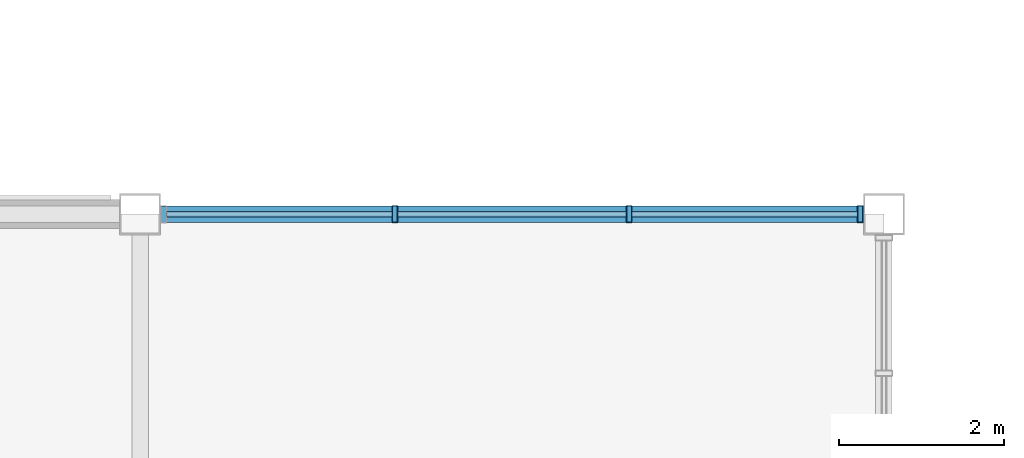
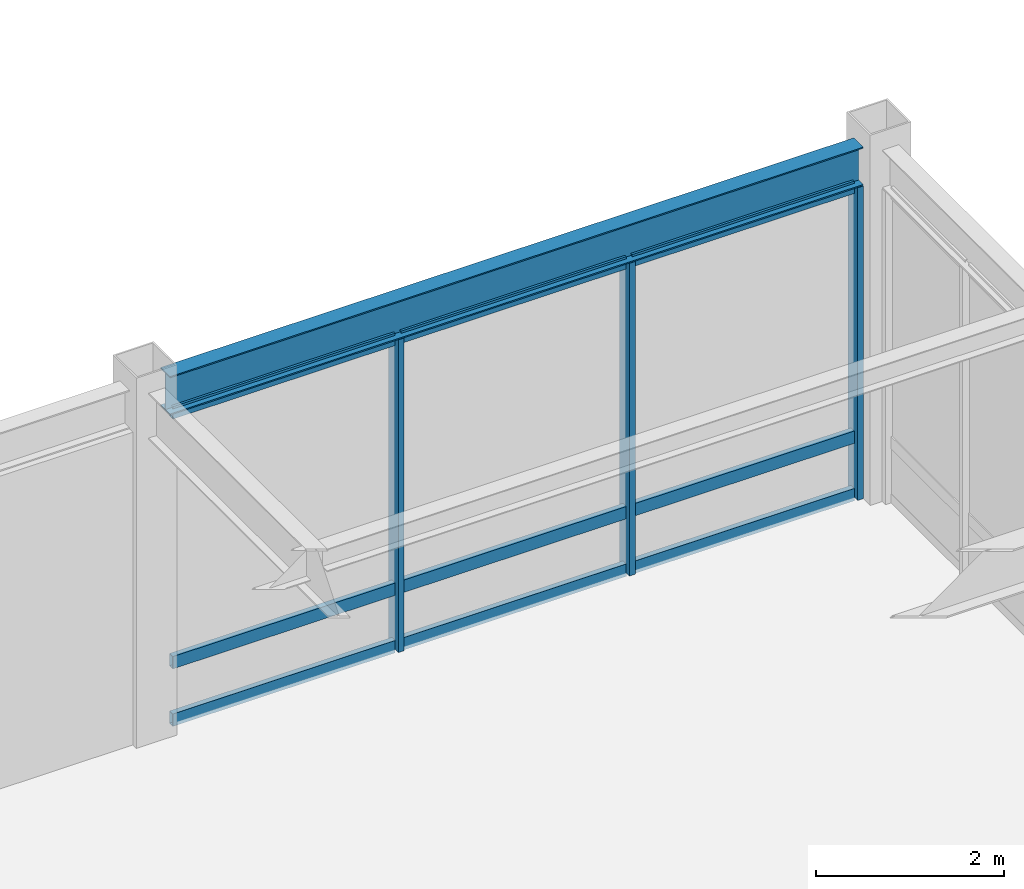
# One storey, part 73 of 112: 12 members, 1 beam, 1 element without a shape of its own.
"""IFC4 building model written with IfcOpenShell, lengths in metres."""

from ifc_helpers import new_model, si_unit, direction, frame, origin, origin_2d, place, context, subcontext, project, spatial, hollow_rectangle, i_section, extrude, material, material_profile, profile_set, type_object, element, aggregate, save


model = new_model("IFC4")

# Units and contexts
model_context = context("Model", 3, precision=1e-05, world=origin(), true_north=direction((0.0, 1.0)))
body_context = subcontext(model_context, "Body", "Model", "MODEL_VIEW")
ifc_project = project(units=[si_unit("LENGTHUNIT", "METRE"), si_unit("AREAUNIT", "SQUARE_METRE"), si_unit("VOLUMEUNIT", "CUBIC_METRE"), si_unit("PLANEANGLEUNIT", "RADIAN"), si_unit("MASSUNIT", "GRAM", prefix="KILO")], contexts=[model_context])

# Site, building, storey
site_placement = place(None, origin())
site = spatial("IfcSite", under=ifc_project, at=site_placement, CompositionType="ELEMENT")
building_placement = place(site_placement, origin())
building = spatial("IfcBuilding", under=site, at=building_placement, Name="Kazanami Central Library", CompositionType="ELEMENT")
storey_placement = place(building_placement, origin())
storey = spatial("IfcBuildingStorey", under=building, at=storey_placement, Name="L01", CompositionType="ELEMENT", Elevation=0.0)

# Beam
ifc_material_1 = material(Name="Steel SN490B (325 MPa)", Category="steel")
ifc_material_profile_1 = material_profile(ifc_material_1, i_section(OverallWidth=0.199951171875, OverallDepth=0.5, WebThickness=0.010009765625, FlangeThickness=0.01611328125, at=origin_2d()), Name="H-500x200x10x16")
ifc_profile_set_1 = profile_set([ifc_material_profile_1], Name="Steel SN490B (325 MPa)")
beam_type = type_object("IfcBeamType", Name="BM-SP-1", PredefinedType="SPANDREL", material=ifc_profile_set_1)
beam_placement = place(storey_placement, frame((99.248046875, 93.60009765625, 4.304931640625), z_axis=(1.0, 0.0, 0.0), x_axis=(0.0, 1.0, 0.0)))
element("IfcBeam", 1, at=beam_placement, inside=storey, type_object=beam_type, Name="Girder SP-1 L01 O/12-13", PredefinedType="SPANDREL", context=body_context, shape_type="SweptSolid", body=[
    extrude(i_section(OverallWidth=0.199951171875, OverallDepth=0.5, WebThickness=0.010009765625, FlangeThickness=0.01611328125, at=origin_2d()), origin(), (0.0, 0.0, 1.0), 8.50390625),
])

# Curtain wall, members
ifc_material_2 = material(Name="Acid-Etched Low-E Laminated Glass", Category="glass")
curtain_wall_type = type_object("IfcCurtainWallType", Name="CW-8500x4055-M275", PredefinedType="USERDEFINED", material=ifc_material_2)
curtain_wall_placement = place(storey_placement, origin())
curtain_wall = element("IfcCurtainWall", 2, at=curtain_wall_placement, inside=storey, type_object=curtain_wall_type, Name="Unitised Curtain Wall CW-07 L01 N-O-11", ObjectType="UNITISED CURTAIN WALL", PredefinedType="USERDEFINED")
ifc_material_3 = material(Name="Anodised Aluminium A6063-T5", Category="aluminium")
ifc_material_profile_2 = material_profile(ifc_material_3, hollow_rectangle(XDim=0.070068359375, YDim=0.2099609375, WallThickness=0.0048828125, at=origin_2d()), Name="ALU-MULL-70x210x5")
ifc_profile_set_2 = profile_set([ifc_material_profile_2], Name="Anodised Aluminium A6063-T5")
member_type_1 = type_object("IfcMemberType", Name="MEM-CW-M1", PredefinedType="MULLION", material=ifc_profile_set_2)
member_1_placement = place(storey_placement, frame((107.715087890625, 93.60009765625, 0.0), z_axis=(0.0, 0.0, 1.0), x_axis=(-1.0, 0.0, 0.0)))
member_1 = element("IfcMember", 3, at=member_1_placement, type_object=member_type_1, Name="CW-07 mullion 1", PredefinedType="MULLION", context=body_context, shape_type="SweptSolid", body=[
    extrude(hollow_rectangle(XDim=0.070068359375, YDim=0.2099609375, WallThickness=0.0048828125, at=origin_2d()), origin(), (0.0, 0.0, 1.0), 4.054931640625),
])
member_2_placement = place(storey_placement, frame((104.916748046875, 93.60009765625, 0.0), z_axis=(0.0, 0.0, 1.0), x_axis=(-1.0, 0.0, 0.0)))
member_2 = element("IfcMember", 4, at=member_2_placement, type_object=member_type_1, Name="CW-07 mullion 2", PredefinedType="MULLION", context=body_context, shape_type="SweptSolid", body=[
    extrude(hollow_rectangle(XDim=0.070068359375, YDim=0.2099609375, WallThickness=0.0048828125, at=origin_2d()), origin(), (0.0, 0.0, 1.0), 4.054931640625),
])
member_3_placement = place(storey_placement, frame((102.083251953125, 93.60009765625, 0.0), z_axis=(0.0, 0.0, 1.0), x_axis=(-1.0, 0.0, 0.0)))
member_3 = element("IfcMember", 5, at=member_3_placement, type_object=member_type_1, Name="CW-07 mullion 3", PredefinedType="MULLION", context=body_context, shape_type="SweptSolid", body=[
    extrude(hollow_rectangle(XDim=0.070068359375, YDim=0.2099609375, WallThickness=0.0048828125, at=origin_2d()), origin(), (0.0, 0.0, 1.0), 4.054931640625),
])
ifc_material_profile_3 = material_profile(ifc_material_3, hollow_rectangle(XDim=0.070068359375, YDim=0.159912109375, WallThickness=0.00390625, at=origin_2d()), Name="ALU-TRAN-70x160x4")
ifc_profile_set_3 = profile_set([ifc_material_profile_3], Name="Anodised Aluminium A6063-T5")
member_type_2 = type_object("IfcMemberType", Name="MEM-CW-T1", PredefinedType="USERDEFINED", material=ifc_profile_set_3)
member_4_placement = place(storey_placement, frame((107.679931640625, 93.60009765625, 0.034912109375), z_axis=(-1.0, 0.0, 0.0), x_axis=(0.0, -1.0, 0.0)))
member_4 = element("IfcMember", 6, at=member_4_placement, type_object=member_type_2, Name="CW-07 transom 1.1", ObjectType="TRANSOM", PredefinedType="USERDEFINED", context=body_context, shape_type="SweptSolid", body=[
    extrude(hollow_rectangle(XDim=0.070068359375, YDim=0.159912109375, WallThickness=0.00390625, at=origin_2d()), origin(), (0.0, 0.0, 1.0), 2.728271484375),
])
member_5_placement = place(storey_placement, frame((107.679931640625, 93.60009765625, 0.780029296875), z_axis=(-1.0, 0.0, 0.0), x_axis=(0.0, -1.0, 0.0)))
member_5 = element("IfcMember", 7, at=member_5_placement, type_object=member_type_2, Name="CW-07 transom 1.2", ObjectType="TRANSOM", PredefinedType="USERDEFINED", context=body_context, shape_type="SweptSolid", body=[
    extrude(hollow_rectangle(XDim=0.070068359375, YDim=0.159912109375, WallThickness=0.00390625, at=origin_2d()), origin(), (0.0, 0.0, 1.0), 2.728271484375),
])
member_6_placement = place(storey_placement, frame((107.679931640625, 93.60009765625, 4.02001953125), z_axis=(-1.0, 0.0, 0.0), x_axis=(0.0, -1.0, 0.0)))
member_6 = element("IfcMember", 8, at=member_6_placement, type_object=member_type_2, Name="CW-07 transom 1.3", ObjectType="TRANSOM", PredefinedType="USERDEFINED", context=body_context, shape_type="SweptSolid", body=[
    extrude(hollow_rectangle(XDim=0.070068359375, YDim=0.159912109375, WallThickness=0.00390625, at=origin_2d()), origin(), (0.0, 0.0, 1.0), 2.728271484375),
])
member_7_placement = place(storey_placement, frame((104.881591796875, 93.60009765625, 0.034912109375), z_axis=(-1.0, 0.0, 0.0), x_axis=(0.0, -1.0, 0.0)))
member_7 = element("IfcMember", 9, at=member_7_placement, type_object=member_type_2, Name="CW-07 transom 2.1", ObjectType="TRANSOM", PredefinedType="USERDEFINED", context=body_context, shape_type="SweptSolid", body=[
    extrude(hollow_rectangle(XDim=0.070068359375, YDim=0.159912109375, WallThickness=0.00390625, at=origin_2d()), origin(), (0.0, 0.0, 1.0), 2.76318359375),
])
member_8_placement = place(storey_placement, frame((104.881591796875, 93.60009765625, 0.780029296875), z_axis=(-1.0, 0.0, 0.0), x_axis=(0.0, -1.0, 0.0)))
member_8 = element("IfcMember", 10, at=member_8_placement, type_object=member_type_2, Name="CW-07 transom 2.2", ObjectType="TRANSOM", PredefinedType="USERDEFINED", context=body_context, shape_type="SweptSolid", body=[
    extrude(hollow_rectangle(XDim=0.070068359375, YDim=0.159912109375, WallThickness=0.00390625, at=origin_2d()), origin(), (0.0, 0.0, 1.0), 2.76318359375),
])
member_9_placement = place(storey_placement, frame((104.881591796875, 93.60009765625, 4.02001953125), z_axis=(-1.0, 0.0, 0.0), x_axis=(0.0, -1.0, 0.0)))
member_9 = element("IfcMember", 11, at=member_9_placement, type_object=member_type_2, Name="CW-07 transom 2.3", ObjectType="TRANSOM", PredefinedType="USERDEFINED", context=body_context, shape_type="SweptSolid", body=[
    extrude(hollow_rectangle(XDim=0.070068359375, YDim=0.159912109375, WallThickness=0.00390625, at=origin_2d()), origin(), (0.0, 0.0, 1.0), 2.76318359375),
])
member_10_placement = place(storey_placement, frame((102.04833984375, 93.60009765625, 0.034912109375), z_axis=(-1.0, 0.0, 0.0), x_axis=(0.0, -1.0, 0.0)))
member_10 = element("IfcMember", 12, at=member_10_placement, type_object=member_type_2, Name="CW-07 transom 3.1", ObjectType="TRANSOM", PredefinedType="USERDEFINED", context=body_context, shape_type="SweptSolid", body=[
    extrude(hollow_rectangle(XDim=0.070068359375, YDim=0.159912109375, WallThickness=0.00390625, at=origin_2d()), origin(), (0.0, 0.0, 1.0), 2.728271484375),
])
member_11_placement = place(storey_placement, frame((102.04833984375, 93.60009765625, 0.780029296875), z_axis=(-1.0, 0.0, 0.0), x_axis=(0.0, -1.0, 0.0)))
member_11 = element("IfcMember", 13, at=member_11_placement, type_object=member_type_2, Name="CW-07 transom 3.2", ObjectType="TRANSOM", PredefinedType="USERDEFINED", context=body_context, shape_type="SweptSolid", body=[
    extrude(hollow_rectangle(XDim=0.070068359375, YDim=0.159912109375, WallThickness=0.00390625, at=origin_2d()), origin(), (0.0, 0.0, 1.0), 2.728271484375),
])
member_12_placement = place(storey_placement, frame((102.04833984375, 93.60009765625, 4.02001953125), z_axis=(-1.0, 0.0, 0.0), x_axis=(0.0, -1.0, 0.0)))
member_12 = element("IfcMember", 14, at=member_12_placement, type_object=member_type_2, Name="CW-07 transom 3.3", ObjectType="TRANSOM", PredefinedType="USERDEFINED", context=body_context, shape_type="SweptSolid", body=[
    extrude(hollow_rectangle(XDim=0.070068359375, YDim=0.159912109375, WallThickness=0.00390625, at=origin_2d()), origin(), (0.0, 0.0, 1.0), 2.728271484375),
])
aggregate(curtain_wall, [member_1, member_2, member_3, member_4, member_5, member_6, member_7, member_8, member_9, member_10, member_11, member_12])

save(model, "model.ifc")
